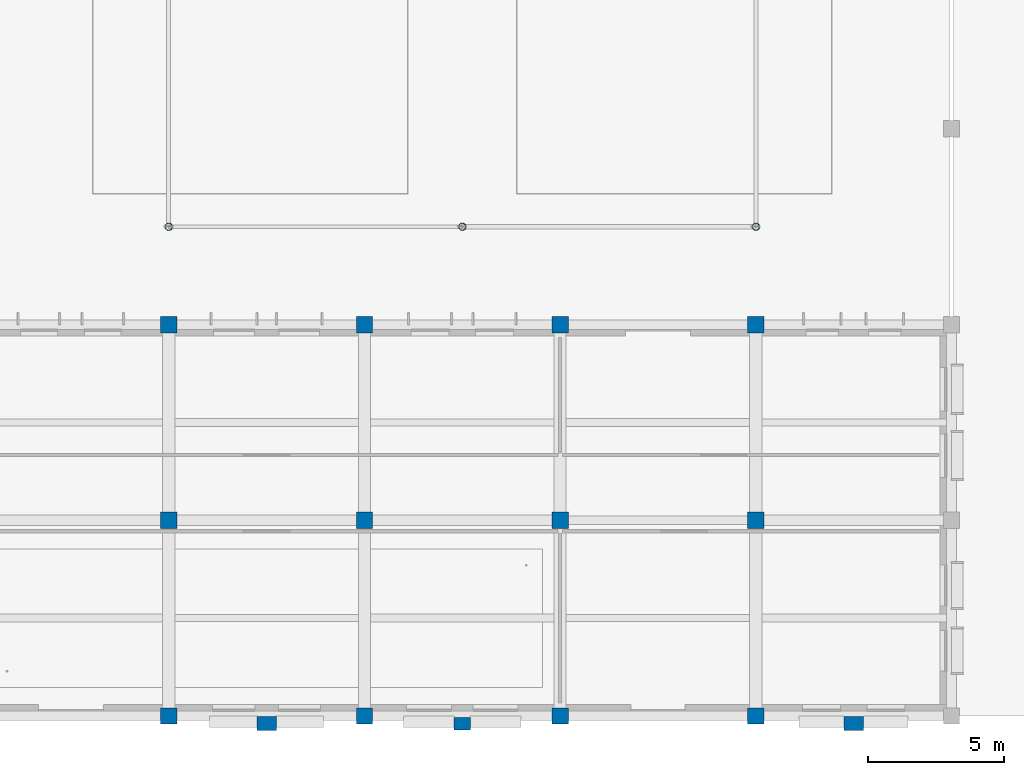
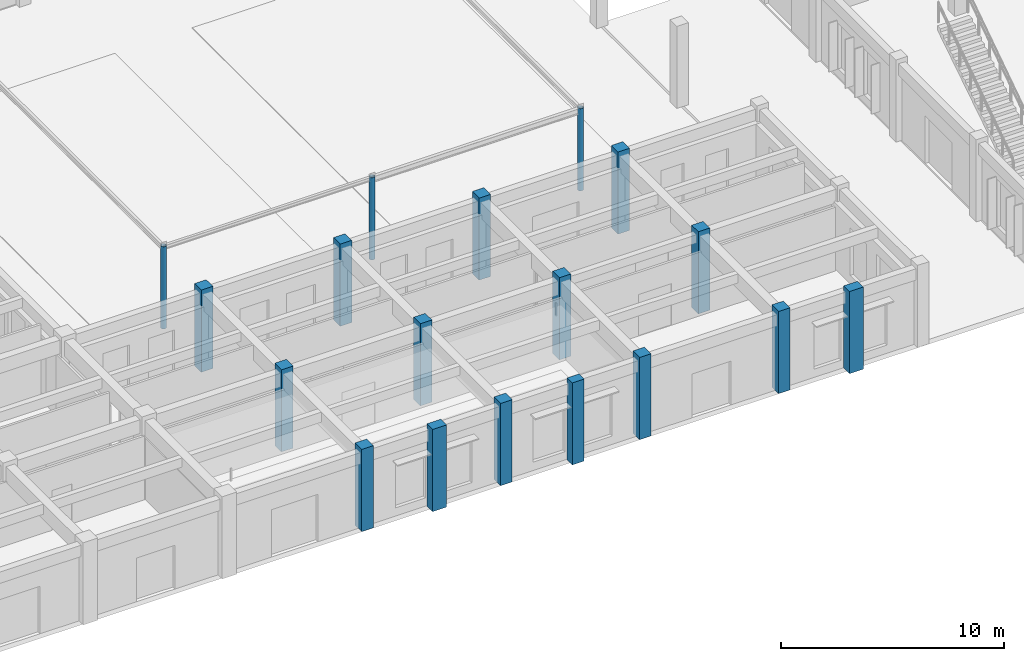
# One storey, part 4 of 43: 18 columns.
"""IFC4 building model written with IfcOpenShell, lengths in metres."""

from ifc_helpers import new_model, si_unit, direction, frame, origin, origin_2d, place, context, subcontext, project, spatial, rectangle, hollow_circle, extrude, material, material_profile, profile_set, type_object, element, save


model = new_model("IFC4")

# Units and contexts
model_context = context("Model", 3, precision=1e-05, world=origin(), true_north=direction((0.0, 1.0)))
body_context = subcontext(model_context, "Body", "Model", "MODEL_VIEW")
ifc_project = project(units=[si_unit("LENGTHUNIT", "METRE"), si_unit("AREAUNIT", "SQUARE_METRE"), si_unit("VOLUMEUNIT", "CUBIC_METRE"), si_unit("PLANEANGLEUNIT", "RADIAN"), si_unit("MASSUNIT", "GRAM", prefix="KILO")], contexts=[model_context])

# Site, building, storey
site_placement = place(None, origin())
site = spatial("IfcSite", under=ifc_project, at=site_placement, CompositionType="ELEMENT")
building_placement = place(site_placement, origin())
building = spatial("IfcBuilding", under=site, at=building_placement, Name="Alvorim Cloister Faculty of Sciences", CompositionType="ELEMENT")
storey_placement = place(building_placement, origin())
storey = spatial("IfcBuildingStorey", under=building, at=storey_placement, Name="L00", CompositionType="ELEMENT", Elevation=0.0)

# Columns
ifc_material_1 = material(Name="Concrete C40", Category="concrete")
ifc_material_profile_1 = material_profile(ifc_material_1, rectangle(XDim=0.60009765625, YDim=0.60009765625, at=origin_2d()), Name="RC40-COL-600x600")
ifc_profile_set_1 = profile_set([ifc_material_profile_1], Name="Concrete C40")
column_type_1 = type_object("IfcColumnType", Name="COL-RC-600", PredefinedType="COLUMN", material=ifc_profile_set_1)
for number, where, z_axis, x_axis, name in (
    (1, (36.0, 0.0, 0.0), (0.0, 0.0, 1.0), (1.0, 0.0, 0.0), "L00 Column COL-0284"),
    (2, (36.0, 7.199951171875, 0.0), (0.0, 0.0, 1.0), (1.0, 0.0, 0.0), "L00 Column COL-0285"),
    (3, (36.0, 14.39990234375, 0.0), (0.0, 0.0, 1.0), (1.0, 0.0, 0.0), "L00 Column COL-0286"),
    (4, (43.199951171875, 0.0, 0.0), (0.0, 0.0, 1.0), (1.0, 0.0, 0.0), "L00 Column COL-0290"),
    (5, (43.199951171875, 7.199951171875, 0.0), (0.0, 0.0, 1.0), (1.0, 0.0, 0.0), "L00 Column COL-0291"),
    (6, (43.199951171875, 14.39990234375, 0.0), (0.0, 0.0, 1.0), (1.0, 0.0, 0.0), "L00 Column COL-0292"),
    (7, (50.39990234375, 0.0, 0.0), (0.0, 0.0, 1.0), (1.0, 0.0, 0.0), "L00 Column COL-0296"),
    (8, (50.39990234375, 7.199951171875, 0.0), (0.0, 0.0, 1.0), (1.0, 0.0, 0.0), "L00 Column COL-0297"),
    (9, (50.39990234375, 14.39990234375, 0.0), (0.0, 0.0, 1.0), (1.0, 0.0, 0.0), "L00 Column COL-0298"),
    (10, (57.60009765625, 0.0, 0.0), (0.0, 0.0, 1.0), (1.0, 0.0, 0.0), "L00 Column COL-0302"),
    (11, (57.60009765625, 7.199951171875, 0.0), (0.0, 0.0, 1.0), (1.0, 0.0, 0.0), "L00 Column COL-0303"),
    (12, (57.60009765625, 14.39990234375, 0.0), (0.0, 0.0, 1.0), (1.0, 0.0, 0.0), "L00 Column COL-0304"),
):
    element("IfcColumn", number, at=place(storey_placement, frame(where, z_axis=z_axis, x_axis=x_axis)), inside=storey, type_object=column_type_1, Name=name, PredefinedType="COLUMN", context=body_context, shape_type="SweptSolid", body=[
        extrude(rectangle(XDim=0.60009765625, YDim=0.60009765625, at=origin_2d()), origin(), (0.0, 0.0, 1.0), 4.5),
    ])
ifc_material_2 = material(Name="Steel ASTM A572 Grade 50", Category="steel")
ifc_material_profile_2 = material_profile(ifc_material_2, hollow_circle(Radius=0.136474609375, WallThickness=0.012451171875, at=origin_2d()), Name="CHS273x12.5")
ifc_profile_set_2 = profile_set([ifc_material_profile_2], Name="Steel ASTM A572 Grade 50")
column_type_2 = type_object("IfcColumnType", Name="COL-STL-CHS273", PredefinedType="COLUMN", material=ifc_profile_set_2)
for number, where, z_axis, x_axis, name in (
    (13, (36.0, 18.0, 0.0), (0.0, 0.0, 1.0), (1.0, 0.0, 0.0), "Canopy and Arcade Column COL-1112"),
    (14, (46.800048828125, 18.0, 0.0), (0.0, 0.0, 1.0), (1.0, 0.0, 0.0), "Canopy and Arcade Column COL-1114"),
    (15, (57.60009765625, 18.0, 0.0), (0.0, 0.0, 1.0), (1.0, 0.0, 0.0), "Canopy and Arcade Column COL-1116"),
):
    element("IfcColumn", number, at=place(storey_placement, frame(where, z_axis=z_axis, x_axis=x_axis)), inside=storey, type_object=column_type_2, Name=name, PredefinedType="COLUMN", context=body_context, shape_type="SweptSolid", body=[
        extrude(hollow_circle(Radius=0.136474609375, WallThickness=0.012451171875, at=origin_2d()), origin(), (0.0, 0.0, 1.0), 4.5),
    ])
ifc_material_3 = material(Name="Maua Grey Granite Stone", Category="masonry")
ifc_material_profile_3 = material_profile(ifc_material_3, rectangle(XDim=0.4599609375, YDim=0.6201171875, at=origin_2d()), Name="GRN-PIER-460x620")
ifc_profile_set_3 = profile_set([ifc_material_profile_3], Name="Maua Grey Granite Stone")
column_type_3 = type_object("IfcColumnType", Name="PIL-GRN-460x620", PredefinedType="PILASTER", material=ifc_profile_set_3)
column_placement = place(storey_placement, frame((46.800048828125, -0.280029296875, 0.0), z_axis=(0.0, 0.0, 1.0), x_axis=(0.0, 1.0, 0.0)))
element("IfcColumn", 16, at=column_placement, inside=storey, type_object=column_type_3, Name="L00 Gothic Buttress Pier COL-1178", PredefinedType="PILASTER", context=body_context, shape_type="SweptSolid", body=[
    extrude(rectangle(XDim=0.4599609375, YDim=0.6201171875, at=origin_2d()), origin(), (0.0, 0.0, 1.0), 4.5),
])
ifc_material_profile_4 = material_profile(ifc_material_3, rectangle(XDim=0.52001953125, YDim=0.719970703125, at=origin_2d()), Name="GRN-PIER-520x720")
ifc_profile_set_4 = profile_set([ifc_material_profile_4], Name="Maua Grey Granite Stone")
column_type_4 = type_object("IfcColumnType", Name="PIL-GRN-520x720", PredefinedType="PILASTER", material=ifc_profile_set_4)
for number, where, z_axis, x_axis, name in (
    (17, (39.60009765625, -0.280029296875, 0.0), (0.0, 0.0, 1.0), (0.0, 1.0, 0.0), "L00 Gothic Buttress Pier COL-1173"),
    (18, (61.199951171875, -0.280029296875, 0.0), (0.0, 0.0, 1.0), (0.0, 1.0, 0.0), "L00 Gothic Buttress Pier COL-1182"),
):
    element("IfcColumn", number, at=place(storey_placement, frame(where, z_axis=z_axis, x_axis=x_axis)), inside=storey, type_object=column_type_4, Name=name, PredefinedType="PILASTER", context=body_context, shape_type="SweptSolid", body=[
        extrude(rectangle(XDim=0.52001953125, YDim=0.719970703125, at=origin_2d()), origin(), (0.0, 0.0, 1.0), 4.5),
    ])

save(model, "model.ifc")
